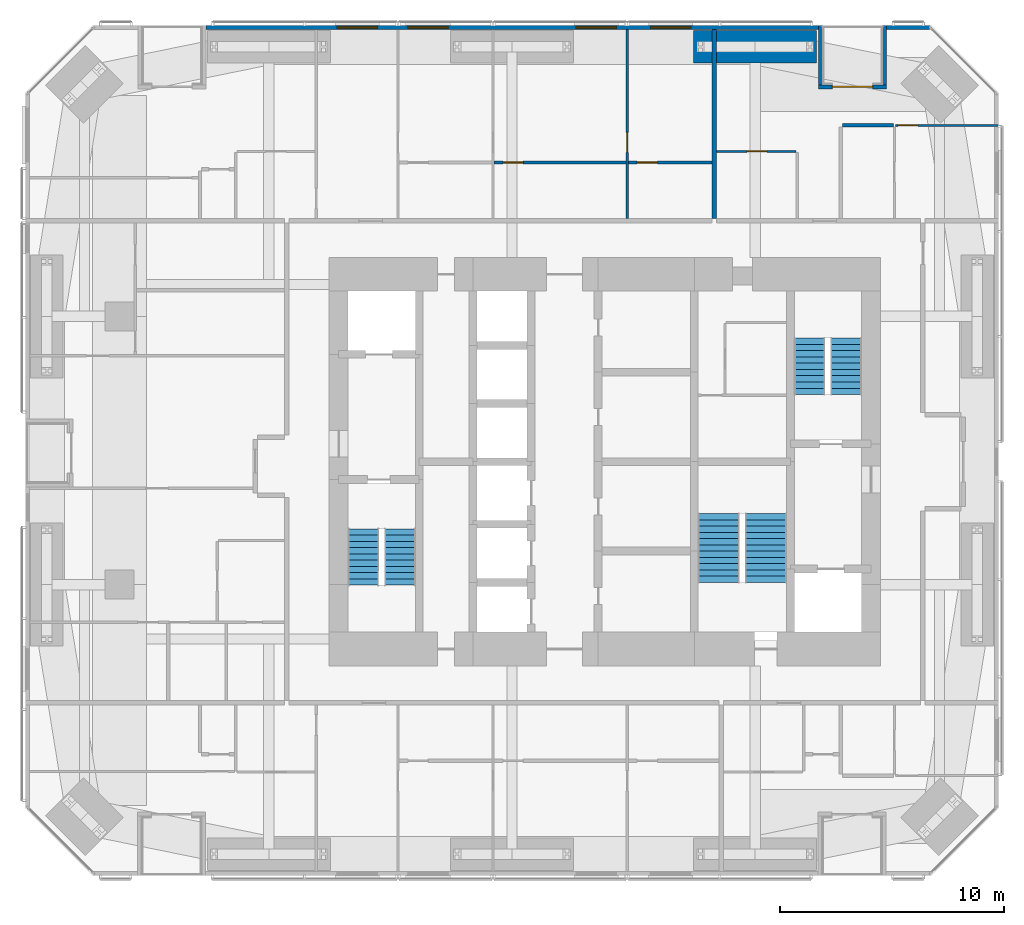
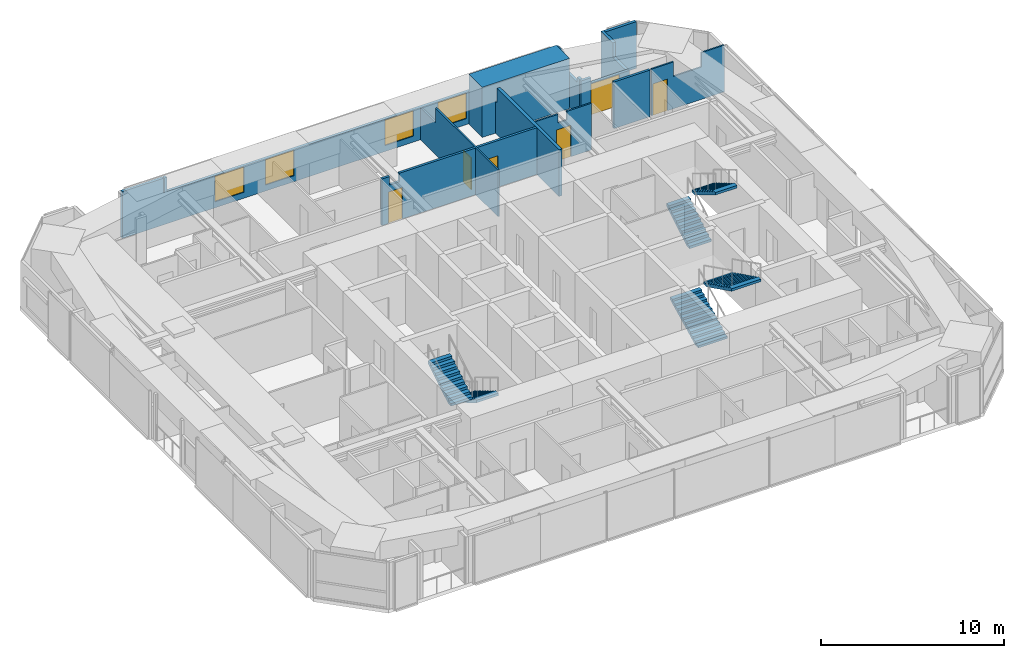
# One storey, part 22 of 23: 14 walls, 6 doors, 6 stair flights, 4 windows, 10 openings, 3 elements without a shape of their own.
"""IFC4 building model written with IfcOpenShell, lengths in metres."""

from ifc_helpers import new_model, si_unit, direction, frame, frame_2d, origin, place, context, subcontext, project, spatial, polyline, rectangle, outline, extrude, material, layer, layer_set, constituent, constituent_set, type_object, element, fill, aggregate, save


model = new_model("IFC4")

# Units and contexts
model_context = context("Model", 3, precision=1e-05, world=origin(), true_north=direction((0.0, 1.0)))
body_context = subcontext(model_context, "Body", "Model", "MODEL_VIEW")
ifc_project = project(units=[si_unit("LENGTHUNIT", "METRE"), si_unit("AREAUNIT", "SQUARE_METRE"), si_unit("VOLUMEUNIT", "CUBIC_METRE"), si_unit("PLANEANGLEUNIT", "RADIAN"), si_unit("MASSUNIT", "GRAM", prefix="KILO")], contexts=[model_context])

# Site, building, storey
site_placement = place(None, origin())
site = spatial("IfcSite", under=ifc_project, at=site_placement, CompositionType="ELEMENT")
building_placement = place(site_placement, origin())
building = spatial("IfcBuilding", under=site, at=building_placement, Name="Jalousie Tower", CompositionType="ELEMENT")
storey_placement = place(building_placement, frame((0.0, 0.0, 114.89990234375)))
storey = spatial("IfcBuildingStorey", under=building, at=storey_placement, Name="L31", CompositionType="ELEMENT", Elevation=114.89990234375)

# Wall, opening, door
ifc_material_1 = material(Name="Concrete block ASTM C90", Category="concrete")
ifc_constituent_1 = constituent(ifc_material_1, Name="Body")
ifc_material_2 = material(Name="Render")
ifc_constituent_2 = constituent(ifc_material_2, Name="Finish")
ifc_constituent_set_1 = constituent_set(constituents=[ifc_constituent_1, ifc_constituent_2])
wall_type_1 = type_object("IfcWallType", Name="BATHROOM WALL 150", PredefinedType="PLUMBINGWALL", material=ifc_constituent_set_1)
wall_1_placement = place(storey_placement, frame((26.949951171875, 31.875, 0.0), z_axis=(0.0, 0.0, 1.0), x_axis=(1.0, 0.0, 0.0)))
wall_1 = element("IfcWall", 1, at=wall_1_placement, inside=storey, type_object=wall_type_1, Name="Bathroom Wall 150 L31", PredefinedType="PLUMBINGWALL", context=body_context, shape_type="SweptSolid", body=[
    extrude(outline(polyline([(0.0, 0.0), (5.900146484375, 0.0), (5.89990234375, 3.110107421875), (1.1123046875, 3.110107421875), (1.1123046875, 2.541015625), (0.487548828125, 2.541015625), (0.487548828125, 3.110107421875), (0.0, 3.110107421875), (0.0, 0.0)])), frame((0.0, 0.074951171875, 0.0), z_axis=(0.0, -1.0, 0.0), x_axis=(1.0, 0.0, 0.0)), (0.0, 0.0, 1.0), 0.14990234375),
])
opening_1_placement = place(wall_1_placement, frame((0.39990234375, 0.0, 0.0)))
opening_1 = element("IfcOpeningElement", 2, at=opening_1_placement, cuts=wall_1, Name="Opening D3", PredefinedType="OPENING", context=body_context, shape_type="SweptSolid", body=[
    extrude(rectangle(XDim=0.89990234375, YDim=2.10009765625, at=frame_2d((0.449951171875, 1.050048828125))), frame((0.0, 0.0849609375, 0.0), z_axis=(0.0, -1.0, 0.0), x_axis=(1.0, 0.0, 0.0)), (0.0, 0.0, 1.0), 0.169921875),
])
ifc_material_3 = material(Name="Timber door", Category="wood")
door_type_1 = type_object("IfcDoorType", Name="BATHROOM DOOR 900", OperationType="SINGLE_SWING_LEFT", PredefinedType="DOOR", material=ifc_material_3)
door_1_placement = place(opening_1_placement, frame((0.89990234375, 0.0, 0.0), z_axis=(0.0, 0.0, 1.0), x_axis=(-1.0, 0.0, 0.0)))
door_1 = element("IfcDoor", 3, at=door_1_placement, inside=storey, type_object=door_type_1, Name="Apartment 3103 bedroom 2 bathroom door", OperationType="SINGLE_SWING_RIGHT", OverallHeight=2.10009765625, OverallWidth=0.89990234375, PredefinedType="DOOR", context=body_context, shape_type="SweptSolid", body=[
    extrude(rectangle(XDim=0.89990234375, YDim=2.10009765625, at=frame_2d((0.449951171875, 1.050048828125))), frame((0.0, 0.02490234375, 0.0), z_axis=(0.0, -1.0, 0.0), x_axis=(1.0, 0.0, 0.0)), (0.0, 0.0, 1.0), 0.050048828125),
])
fill(opening_1, door_1)

wall_2_placement = place(storey_placement, frame((32.949951171875, 31.875, 0.0), z_axis=(0.0, 0.0, 1.0), x_axis=(1.0, 0.0, 0.0)))
wall_2 = element("IfcWall", 4, at=wall_2_placement, inside=storey, type_object=wall_type_1, Name="Bathroom Wall 150 L31", PredefinedType="PLUMBINGWALL", context=body_context, shape_type="SweptSolid", body=[
    extrude(rectangle(XDim=3.75, YDim=0.14990234375, at=frame_2d((1.875, 0.0))), origin(), (0.0, 0.0, 1.0), 3.110107421875),
])
opening_2_placement = place(wall_2_placement, frame((0.39990234375, 0.0, 0.0)))
opening_2 = element("IfcOpeningElement", 5, at=opening_2_placement, cuts=wall_2, Name="Opening D3", PredefinedType="OPENING", context=body_context, shape_type="SweptSolid", body=[
    extrude(rectangle(XDim=0.89990234375, YDim=2.10009765625, at=frame_2d((0.449951171875, 1.050048828125))), frame((0.0, 0.0849609375, 0.0), z_axis=(0.0, -1.0, 0.0), x_axis=(1.0, 0.0, 0.0)), (0.0, 0.0, 1.0), 0.169921875),
])
door_2_placement = place(opening_2_placement, frame((0.89990234375, 0.0, 0.0), z_axis=(0.0, 0.0, 1.0), x_axis=(-1.0, 0.0, 0.0)))
door_2 = element("IfcDoor", 6, at=door_2_placement, inside=storey, type_object=door_type_1, Name="Apartment 3103 bedroom 3 bathroom door", OperationType="SINGLE_SWING_RIGHT", OverallHeight=2.10009765625, OverallWidth=0.89990234375, PredefinedType="DOOR", context=body_context, shape_type="SweptSolid", body=[
    extrude(rectangle(XDim=0.89990234375, YDim=2.10009765625, at=frame_2d((0.449951171875, 1.050048828125))), frame((0.0, 0.02490234375, 0.0), z_axis=(0.0, -1.0, 0.0), x_axis=(1.0, 0.0, 0.0)), (0.0, 0.0, 1.0), 0.050048828125),
])
fill(opening_2, door_2)

# Walls
wall_3_placement = place(storey_placement, frame((42.52490234375, 33.5361328125, 0.0), z_axis=(0.0, 0.0, 1.0), x_axis=(1.0, 0.0, 0.0)))
element("IfcWall", 7, at=wall_3_placement, inside=storey, type_object=wall_type_1, Name="Bathroom Wall 150 L31", PredefinedType="PLUMBINGWALL", context=body_context, shape_type="SweptSolid", body=[
    extrude(rectangle(XDim=2.275146484375, YDim=0.14990234375, at=frame_2d((1.1376953125, 0.0))), origin(), (0.0, 0.0, 1.0), 3.110107421875),
])
ifc_material_4 = material(Name="Concrete f'c 40 MPa", Category="concrete")
ifc_constituent_3 = constituent(ifc_material_4, Name="Body")
ifc_material_5 = material(Name="Render, pastel sea green")
ifc_constituent_4 = constituent(ifc_material_5, Name="Finish")
ifc_constituent_set_2 = constituent_set(constituents=[ifc_constituent_3, ifc_constituent_4])
wall_type_2 = type_object("IfcWallType", Name="EXTERNAL WALL 175 SEA GREEN RENDER", PredefinedType="SOLIDWALL", material=ifc_constituent_set_2)
wall_4_placement = place(storey_placement, frame((46.44873046875, 37.91259765625, 0.0), z_axis=(0.0, 0.0, 1.0), x_axis=(-1.0, 0.0, 0.0)))
element("IfcWall", 8, at=wall_4_placement, inside=storey, type_object=wall_type_2, Name="External Wall 175 Sea Green Render L31", PredefinedType="SOLIDWALL", context=body_context, shape_type="SweptSolid", body=[
    extrude(rectangle(XDim=1.949951171875, YDim=0.175048828125, at=frame_2d((0.97509765625, 0.0))), origin(), (0.0, 0.0, 1.0), 3.110107421875),
])

# Wall, openings, windows
wall_5_placement = place(storey_placement, frame((41.44873046875, 37.91259765625, 0.0), z_axis=(0.0, 0.0, 1.0), x_axis=(-1.0, 0.0, 0.0)))
wall_5 = element("IfcWall", 9, at=wall_5_placement, inside=storey, type_object=wall_type_2, Name="External Wall 175 Sea Green Render L31", PredefinedType="SOLIDWALL", context=body_context, shape_type="SweptSolid", body=[
    extrude(outline(polyline([(0.0, 0.0), (27.373779296875, 0.0), (27.373779296875, 3.110107421875), (24.777099609375, 3.110107421875), (24.777099609375, 2.150146484375), (24.731689453125, 2.150146484375), (24.731689453125, 3.110107421875), (24.57373046875, 3.110107421875), (24.57373046875, 2.150146484375), (2.82373046875, 2.150146484375), (2.82373046875, 3.110107421875), (2.66552734375, 3.110107421875), (2.66552734375, 2.150146484375), (2.620361328125, 2.150146484375), (2.620361328125, 3.110107421875), (0.0, 3.110107421875), (0.0, 0.0)])), frame((0.0, 0.08740234375, 0.0), z_axis=(0.0, -1.0, 0.0), x_axis=(1.0, 0.0, 0.0)), (0.0, 0.0, 1.0), 0.175048828125),
])
opening_3_placement = place(wall_5_placement, frame((5.69873046875, 0.0, 0.39990234375)))
opening_3 = element("IfcOpeningElement", 10, at=opening_3_placement, cuts=wall_5, Name="Opening W-BED170", PredefinedType="OPENING", context=body_context, shape_type="SweptSolid", body=[
    extrude(rectangle(XDim=1.800048828125, YDim=1.699951171875, at=frame_2d((0.89990234375, 0.85009765625))), frame((0.0, 0.097412109375, 0.0), z_axis=(0.0, -1.0, 0.0), x_axis=(1.0, 0.0, 0.0)), (0.0, 0.0, 1.0), 0.195068359375),
])
opening_4_placement = place(wall_5_placement, frame((9.03369140625, 0.0, 0.39990234375)))
opening_4 = element("IfcOpeningElement", 11, at=opening_4_placement, cuts=wall_5, Name="Opening W-BED170", PredefinedType="OPENING", context=body_context, shape_type="SweptSolid", body=[
    extrude(rectangle(XDim=1.800048828125, YDim=1.699951171875, at=frame_2d((0.89990234375, 0.85009765625))), frame((0.0, 0.097412109375, 0.0), z_axis=(0.0, -1.0, 0.0), x_axis=(1.0, 0.0, 0.0)), (0.0, 0.0, 1.0), 0.195068359375),
])
opening_5_placement = place(wall_5_placement, frame((16.5576171875, 0.0, 0.39990234375)))
opening_5 = element("IfcOpeningElement", 12, at=opening_5_placement, cuts=wall_5, Name="Opening W-BED170", PredefinedType="OPENING", context=body_context, shape_type="SweptSolid", body=[
    extrude(rectangle(XDim=1.800048828125, YDim=1.699951171875, at=frame_2d((0.89990234375, 0.85009765625))), frame((0.0, 0.097412109375, 0.0), z_axis=(0.0, -1.0, 0.0), x_axis=(1.0, 0.0, 0.0)), (0.0, 0.0, 1.0), 0.195068359375),
])
opening_6_placement = place(wall_5_placement, frame((19.7236328125, 0.0, 0.39990234375)))
opening_6 = element("IfcOpeningElement", 13, at=opening_6_placement, cuts=wall_5, Name="Opening W-BED170", PredefinedType="OPENING", context=body_context, shape_type="SweptSolid", body=[
    extrude(rectangle(XDim=1.800048828125, YDim=1.699951171875, at=frame_2d((0.89990234375, 0.85009765625))), frame((0.0, 0.097412109375, 0.0), z_axis=(0.0, -1.0, 0.0), x_axis=(1.0, 0.0, 0.0)), (0.0, 0.0, 1.0), 0.195068359375),
])
ifc_material_6 = material(Name="Aluminium frame, impact-rated glazing", Category="aluminium")
window_type = type_object("IfcWindowType", Name="WINDOW BED 1800x1700", PartitioningType="SINGLE_PANEL", PredefinedType="WINDOW", material=ifc_material_6)
window_1_placement = place(opening_3_placement, origin())
window_1 = element("IfcWindow", 14, at=window_1_placement, inside=storey, type_object=window_type, Name="Apartment 3103 bedroom 3 window", OverallHeight=1.699951171875, OverallWidth=1.800048828125, PartitioningType="SINGLE_PANEL", PredefinedType="WINDOW", context=body_context, shape_type="SweptSolid", body=[
    extrude(rectangle(XDim=1.800048828125, YDim=1.699951171875, at=frame_2d((0.89990234375, 0.85009765625))), frame((0.0, 0.030029296875, 0.0), z_axis=(0.0, -1.0, 0.0), x_axis=(1.0, 0.0, 0.0)), (0.0, 0.0, 1.0), 0.06005859375),
])
fill(opening_3, window_1)
window_2_placement = place(opening_4_placement, origin())
window_2 = element("IfcWindow", 15, at=window_2_placement, inside=storey, type_object=window_type, Name="Apartment 3103 bedroom 2 window", OverallHeight=1.699951171875, OverallWidth=1.800048828125, PartitioningType="SINGLE_PANEL", PredefinedType="WINDOW", context=body_context, shape_type="SweptSolid", body=[
    extrude(rectangle(XDim=1.800048828125, YDim=1.699951171875, at=frame_2d((0.89990234375, 0.85009765625))), frame((0.0, 0.030029296875, 0.0), z_axis=(0.0, -1.0, 0.0), x_axis=(1.0, 0.0, 0.0)), (0.0, 0.0, 1.0), 0.06005859375),
])
fill(opening_4, window_2)
window_3_placement = place(opening_5_placement, origin())
window_3 = element("IfcWindow", 16, at=window_3_placement, inside=storey, type_object=window_type, Name="Apartment 3103 bedroom 1 window", OverallHeight=1.699951171875, OverallWidth=1.800048828125, PartitioningType="SINGLE_PANEL", PredefinedType="WINDOW", context=body_context, shape_type="SweptSolid", body=[
    extrude(rectangle(XDim=1.800048828125, YDim=1.699951171875, at=frame_2d((0.89990234375, 0.85009765625))), frame((0.0, 0.030029296875, 0.0), z_axis=(0.0, -1.0, 0.0), x_axis=(1.0, 0.0, 0.0)), (0.0, 0.0, 1.0), 0.06005859375),
])
fill(opening_5, window_3)
window_4_placement = place(opening_6_placement, origin())
window_4 = element("IfcWindow", 17, at=window_4_placement, inside=storey, type_object=window_type, Name="Apartment 3103 study window", OverallHeight=1.699951171875, OverallWidth=1.800048828125, PartitioningType="SINGLE_PANEL", PredefinedType="WINDOW", context=body_context, shape_type="SweptSolid", body=[
    extrude(rectangle(XDim=1.800048828125, YDim=1.699951171875, at=frame_2d((0.89990234375, 0.85009765625))), frame((0.0, 0.030029296875, 0.0), z_axis=(0.0, -1.0, 0.0), x_axis=(1.0, 0.0, 0.0)), (0.0, 0.0, 1.0), 0.06005859375),
])
fill(opening_6, window_4)

# Wall, opening, door
wall_6_placement = place(storey_placement, frame((44.498779296875, 35.262451171875, 0.0), z_axis=(0.0, 0.0, 1.0), x_axis=(-1.0, 0.0, 0.0)))
wall_6 = element("IfcWall", 18, at=wall_6_placement, inside=storey, type_object=wall_type_2, Name="External Wall 175 Sea Green Render L31-A", PredefinedType="SOLIDWALL", context=body_context, shape_type="SweptSolid", body=[
    extrude(rectangle(XDim=2.425048828125, YDim=0.175048828125, at=frame_2d((1.21240234375, 0.0))), origin(), (0.0, 0.0, 1.0), 2.150146484375),
])
opening_7_placement = place(wall_6_placement, frame((0.625, 0.0, 0.0)))
opening_7 = element("IfcOpeningElement", 19, at=opening_7_placement, cuts=wall_6, Name="Opening D-BAL21", PredefinedType="OPENING", context=body_context, shape_type="SweptSolid", body=[
    extrude(rectangle(XDim=1.800048828125, YDim=2.10009765625, at=frame_2d((0.89990234375, 1.050048828125))), frame((0.0, 0.097412109375, 0.0), z_axis=(0.0, -1.0, 0.0), x_axis=(1.0, 0.0, 0.0)), (0.0, 0.0, 1.0), 0.195068359375),
])
ifc_material_7 = material(Name="Aluminium frame, impact-rated glazing", Category="aluminium")
door_type_2 = type_object("IfcDoorType", Name="BALCONY DOOR 1800x2100", OperationType="SLIDING_TO_LEFT", PredefinedType="DOOR", material=ifc_material_7)
door_3_placement = place(opening_7_placement, origin())
door_3 = element("IfcDoor", 20, at=door_3_placement, inside=storey, type_object=door_type_2, Name="Apartment 3104 living and dining room loggia door", OperationType="SLIDING_TO_LEFT", OverallHeight=2.10009765625, OverallWidth=1.800048828125, PredefinedType="DOOR", context=body_context, shape_type="SweptSolid", body=[
    extrude(rectangle(XDim=1.800048828125, YDim=2.10009765625, at=frame_2d((0.89990234375, 1.050048828125))), frame((0.0, 0.02490234375, 0.0), z_axis=(0.0, -1.0, 0.0), x_axis=(1.0, 0.0, 0.0)), (0.0, 0.0, 1.0), 0.050048828125),
])
fill(opening_7, door_3)

# Walls
wall_7_placement = place(storey_placement, frame((42.07373046875, 35.262451171875, 0.0), z_axis=(0.0, 0.0, 1.0), x_axis=(-1.0, 0.0, 0.0)))
element("IfcWall", 21, at=wall_7_placement, inside=storey, type_object=wall_type_2, Name="External Wall 175 Sea Green Render L31-B", PredefinedType="SOLIDWALL", context=body_context, shape_type="SweptSolid", body=[
    extrude(rectangle(XDim=0.625, YDim=0.175048828125, at=frame_2d((0.3125, 0.0))), origin(), (0.0, 0.0, 1.0), 2.510009765625),
])
wall_8_placement = place(storey_placement, frame((44.4111328125, 38.0, 0.0), z_axis=(0.0, 0.0, 1.0), x_axis=(0.0, -1.0, 0.0)))
element("IfcWall", 22, at=wall_8_placement, inside=storey, type_object=wall_type_2, Name="External Wall 175 Sea Green Render L31", PredefinedType="SOLIDWALL", context=body_context, shape_type="SweptSolid", body=[
    extrude(outline(polyline([(0.0, 0.0), (2.64990234375, 0.0), (2.64990234375, 2.150146484375), (1.2958984375, 2.150146484375), (1.2958984375, 3.110107421875), (0.0, 3.110107421875), (0.0, 0.0)])), frame((0.0, 0.08740234375, 0.0), z_axis=(0.0, -1.0, 0.0), x_axis=(1.0, 0.0, 0.0)), (0.0, 0.0, 1.0), 0.175048828125),
])
wall_9_placement = place(storey_placement, frame((41.5361328125, 38.0, 0.0), z_axis=(0.0, 0.0, 1.0), x_axis=(0.0, -1.0, 0.0)))
element("IfcWall", 23, at=wall_9_placement, inside=storey, type_object=wall_type_2, Name="External Wall 175 Sea Green Render L31", PredefinedType="SOLIDWALL", context=body_context, shape_type="SweptSolid", body=[
    extrude(outline(polyline([(0.0, 0.0), (2.64990234375, 0.0), (2.64990234375, 2.510009765625), (2.378173828125, 2.510009765625), (2.378173828125, 2.150146484375), (0.70947265625, 2.150146484375), (0.70947265625, 3.110107421875), (0.0, 3.110107421875), (0.0, 0.0)])), frame((0.0, 0.08740234375, 0.0), z_axis=(0.0, -1.0, 0.0), x_axis=(1.0, 0.0, 0.0)), (0.0, 0.0, 1.0), 0.175048828125),
])

# Wall, opening, door
ifc_material_8 = material(Name="Gypsum board", Category="gypsum")
ifc_constituent_5 = constituent(ifc_material_8, Name="Body")
ifc_material_9 = material(Name="Light-gauge steel studs ASTM A653 SS Grade 33", Category="steel")
ifc_constituent_6 = constituent(ifc_material_9, Name="Framing")
ifc_constituent_set_3 = constituent_set(constituents=[ifc_constituent_5, ifc_constituent_6])
wall_type_3 = type_object("IfcWallType", Name="PARTITION 100", PredefinedType="PARTITIONING", material=ifc_constituent_set_3)
wall_10_placement = place(storey_placement, frame((32.89990234375, 37.824951171875, 0.0), z_axis=(0.0, 0.0, 1.0), x_axis=(0.0, -1.0, 0.0)))
wall_10 = element("IfcWall", 24, at=wall_10_placement, inside=storey, type_object=wall_type_3, Name="Partition 100 L31", PredefinedType="PARTITIONING", context=body_context, shape_type="SweptSolid", body=[
    extrude(outline(polyline([(0.0, 0.0), (8.449951171875, 0.0), (8.449951171875, 3.110107421875), (1.635009765625, 3.110107421875), (1.635009765625, 2.150146484375), (0.0, 2.150146484375), (0.0, 3.110107421875), (0.0, 0.0)])), frame((0.0, 0.050048828125, 0.0), z_axis=(0.0, -1.0, 0.0), x_axis=(1.0, 0.0, 0.0)), (0.0, 0.0, 1.0), 0.10009765625),
])
opening_8_placement = place(wall_10_placement, frame((4.60009765625, 0.0, 0.0)))
opening_8 = element("IfcOpeningElement", 25, at=opening_8_placement, cuts=wall_10, Name="Opening D2", PredefinedType="OPENING", context=body_context, shape_type="SweptSolid", body=[
    extrude(rectangle(XDim=0.89990234375, YDim=2.10009765625, at=frame_2d((0.449951171875, 1.050048828125))), frame((0.0, 0.06005859375, 0.0), z_axis=(0.0, -1.0, 0.0), x_axis=(1.0, 0.0, 0.0)), (0.0, 0.0, 1.0), 0.1201171875),
])
ifc_material_10 = material(Name="Timber door", Category="wood")
door_type_3 = type_object("IfcDoorType", Name="BEDROOM DOOR 900", OperationType="SINGLE_SWING_LEFT", PredefinedType="DOOR", material=ifc_material_10)
door_4_placement = place(opening_8_placement, frame((0.89990234375, 0.0, 0.0), z_axis=(0.0, 0.0, 1.0), x_axis=(-1.0, 0.0, 0.0)))
door_4 = element("IfcDoor", 26, at=door_4_placement, inside=storey, type_object=door_type_3, Name="Apartment 3103 bedroom 3 door", OperationType="SINGLE_SWING_LEFT", OverallHeight=2.10009765625, OverallWidth=0.89990234375, PredefinedType="DOOR", context=body_context, shape_type="SweptSolid", body=[
    extrude(rectangle(XDim=0.89990234375, YDim=2.10009765625, at=frame_2d((0.449951171875, 1.050048828125))), frame((0.0, 0.02490234375, 0.0), z_axis=(0.0, -1.0, 0.0), x_axis=(1.0, 0.0, 0.0)), (0.0, 0.0, 1.0), 0.050048828125),
])
fill(opening_8, door_4)

wall_11_placement = place(storey_placement, frame((44.89990234375, 33.5361328125, 0.0), z_axis=(0.0, 0.0, 1.0), x_axis=(1.0, 0.0, 0.0)))
wall_11 = element("IfcWall", 27, at=wall_11_placement, inside=storey, type_object=wall_type_3, Name="Partition 100 L31", PredefinedType="PARTITIONING", context=body_context, shape_type="SweptSolid", body=[
    extrude(outline(polyline([(0.0, 0.0), (4.60009765625, 0.0), (4.60009765625, 3.110107421875), (3.136962890625, 3.110107421875), (3.136962890625, 2.150146484375), (1.39453125, 2.150146484375), (1.39453125, 3.110107421875), (0.0, 3.110107421875), (0.0, 0.0)])), frame((0.0, 0.050048828125, 0.0), z_axis=(0.0, -1.0, 0.0), x_axis=(1.0, 0.0, 0.0)), (0.0, 0.0, 1.0), 0.10009765625),
])
opening_9_placement = place(wall_11_placement, frame((0.10009765625, 0.0, 0.0)))
opening_9 = element("IfcOpeningElement", 28, at=opening_9_placement, cuts=wall_11, Name="Opening D2", PredefinedType="OPENING", context=body_context, shape_type="SweptSolid", body=[
    extrude(rectangle(XDim=0.89990234375, YDim=2.10009765625, at=frame_2d((0.449951171875, 1.050048828125))), frame((0.0, 0.06005859375, 0.0), z_axis=(0.0, -1.0, 0.0), x_axis=(1.0, 0.0, 0.0)), (0.0, 0.0, 1.0), 0.1201171875),
])
door_5_placement = place(opening_9_placement, frame((0.89990234375, 0.0, 0.0), z_axis=(0.0, 0.0, 1.0), x_axis=(-1.0, 0.0, 0.0)))
door_5 = element("IfcDoor", 29, at=door_5_placement, inside=storey, type_object=door_type_3, Name="Apartment 3104 bedroom 1 door", OperationType="SINGLE_SWING_RIGHT", OverallHeight=2.10009765625, OverallWidth=0.89990234375, PredefinedType="DOOR", context=body_context, shape_type="SweptSolid", body=[
    extrude(rectangle(XDim=0.89990234375, YDim=2.10009765625, at=frame_2d((0.449951171875, 1.050048828125))), frame((0.0, 0.02490234375, 0.0), z_axis=(0.0, -1.0, 0.0), x_axis=(1.0, 0.0, 0.0)), (0.0, 0.0, 1.0), 0.050048828125),
])
fill(opening_9, door_5)

wall_12_placement = place(storey_placement, frame((36.89990234375, 32.375, 0.0), z_axis=(0.0, 0.0, 1.0), x_axis=(1.0, 0.0, 0.0)))
wall_12 = element("IfcWall", 30, at=wall_12_placement, inside=storey, type_object=wall_type_3, Name="Partition 100 L31", PredefinedType="PARTITIONING", context=body_context, shape_type="SweptSolid", body=[
    extrude(outline(polyline([(0.0, 0.0), (3.550048828125, 0.0), (3.550048828125, 3.110107421875), (2.012451171875, 3.110107421875), (2.012451171875, 2.541015625), (1.4375, 2.541015625), (1.4375, 3.110107421875), (0.0, 3.110107421875), (0.0, 0.0)])), frame((0.0, 0.050048828125, 0.0), z_axis=(0.0, -1.0, 0.0), x_axis=(1.0, 0.0, 0.0)), (0.0, 0.0, 1.0), 0.10009765625),
])
opening_10_placement = place(wall_12_placement, frame((1.35009765625, 0.0, 0.0)))
opening_10 = element("IfcOpeningElement", 31, at=opening_10_placement, cuts=wall_12, Name="Opening D7", PredefinedType="OPENING", context=body_context, shape_type="SweptSolid", body=[
    extrude(rectangle(XDim=0.89990234375, YDim=2.10009765625, at=frame_2d((0.449951171875, 1.050048828125))), frame((0.0, 0.06005859375, 0.0), z_axis=(0.0, -1.0, 0.0), x_axis=(1.0, 0.0, 0.0)), (0.0, 0.0, 1.0), 0.1201171875),
])
ifc_material_11 = material(Name="Timber door", Category="wood")
door_type_4 = type_object("IfcDoorType", Name="INTERNAL DOOR 900", OperationType="SINGLE_SWING_LEFT", PredefinedType="DOOR", material=ifc_material_11)
door_6_placement = place(opening_10_placement, origin())
door_6 = element("IfcDoor", 32, at=door_6_placement, inside=storey, type_object=door_type_4, Name="Apartment 3104 kitchen door", OperationType="SINGLE_SWING_LEFT", OverallHeight=2.10009765625, OverallWidth=0.89990234375, PredefinedType="DOOR", context=body_context, shape_type="SweptSolid", body=[
    extrude(rectangle(XDim=0.89990234375, YDim=2.10009765625, at=frame_2d((0.449951171875, 1.050048828125))), frame((0.0, 0.02490234375, 0.0), z_axis=(0.0, -1.0, 0.0), x_axis=(1.0, 0.0, 0.0)), (0.0, 0.0, 1.0), 0.050048828125),
])
fill(opening_10, door_6)

# Walls
ifc_material_12 = material(Name="Concrete block ASTM C90", Category="concrete")
ifc_constituent_7 = constituent(ifc_material_12, Name="Body")
ifc_material_13 = material(Name="Render")
ifc_constituent_8 = constituent(ifc_material_13, Name="Finish")
ifc_constituent_set_4 = constituent_set(constituents=[ifc_constituent_7, ifc_constituent_8])
wall_type_4 = type_object("IfcWallType", Name="PARTY WALL 200", PredefinedType="PARTITIONING", material=ifc_constituent_set_4)
wall_13_placement = place(storey_placement, frame((36.800048828125, 37.824951171875, 0.0), z_axis=(0.0, 0.0, 1.0), x_axis=(0.0, -1.0, 0.0)))
element("IfcWall", 33, at=wall_13_placement, inside=storey, type_object=wall_type_4, Name="Party Wall 200 L31", PredefinedType="PARTITIONING", context=body_context, shape_type="SweptSolid", body=[
    extrude(outline(polyline([(0.52880859375, 2.150146484375), (0.0, 2.150146484375), (0.0, 0.0), (0.52880859375, 0.0), (0.52880859375, 0.256591796875), (1.021240234375, 0.256591796875), (1.021240234375, 0.0), (8.449951171875, 0.0), (8.449951171875, 3.110107421875), (1.68505859375, 3.110107421875), (1.68505859375, 2.150146484375), (1.021240234375, 2.150146484375), (1.021240234375, 1.893798828125), (0.52880859375, 1.893798828125), (0.52880859375, 2.150146484375)])), frame((0.0, 0.10009765625, 0.0), z_axis=(0.0, -1.0, 0.0), x_axis=(1.0, 0.0, 0.0)), (0.0, 0.0, 1.0), 0.199951171875),
])
ifc_material_14 = material(Name="Concrete f'c 120 MPa", Category="concrete")
ifc_layer = layer(ifc_material_14, 1.449951171875)
ifc_layer_set = layer_set([ifc_layer], Name="Concrete f'c 120 MPa")
wall_type_5 = type_object("IfcWallType", Name="RC WALL PIER 1450", PredefinedType="SHEAR", material=ifc_layer_set)
wall_14_placement = place(storey_placement, frame((35.875, 37.050048828125, 0.0), z_axis=(0.0, 0.0, 1.0), x_axis=(1.0, 0.0, 0.0)))
element("IfcWall", 34, at=wall_14_placement, inside=storey, type_object=wall_type_5, Name="Wall pier 09 L31", PredefinedType="SHEAR", context=body_context, shape_type="SweptSolid", body=[
    extrude(rectangle(XDim=5.5, YDim=1.449951171875, at=frame_2d((2.75, 0.0))), origin(), (0.0, 0.0, 1.0), 3.35009765625),
])

# Stair, stair flights
ifc_material_15 = material(Name="Concrete f'c 40 MPa", Category="concrete")
stair_type = type_object("IfcStairType", Name="EXIT STAIR", PredefinedType="HALF_TURN_STAIR", material=ifc_material_15)
stair_1_placement = place(storey_placement, origin())
stair_1 = element("IfcStair", 35, at=stair_1_placement, inside=storey, type_object=stair_type, Name="Exit stair A L31", PredefinedType="HALF_TURN_STAIR")
ifc_material_16 = material(Name="Concrete f'c 40 MPa", Category="concrete")
stair_flight_type = type_object("IfcStairFlightType", Name="STAIR FLIGHT", PredefinedType="STRAIGHT", material=ifc_material_16)
stair_flight_1_placement = place(storey_placement, frame((22.737548828125, 15.49755859375, 0.0), z_axis=(0.0, 0.0, 1.0), x_axis=(0.0, -1.0, 0.0)))
stair_flight_1 = element("IfcStairFlight", 36, at=stair_flight_1_placement, type_object=stair_flight_type, Name="ST-A flight 1", NumberOfRisers=10, NumberOfTreads=9, PredefinedType="STRAIGHT", RiserHeight=0.1675, TreadLength=0.28, context=body_context, shape_type="SweptSolid", body=[
    extrude(outline(polyline([(0.0, 0.0), (0.0, 0.16748046875), (0.280029296875, 0.16748046875), (0.280029296875, 0.3349609375), (0.56005859375, 0.3349609375), (0.56005859375, 0.50244140625), (0.840087890625, 0.50244140625), (0.840087890625, 0.669921875), (1.1201171875, 0.669921875), (1.1201171875, 0.83740234375), (1.39990234375, 0.83740234375), (1.39990234375, 1.0048828125), (1.679931640625, 1.0048828125), (1.679931640625, 1.172607421875), (1.9599609375, 1.172607421875), (1.9599609375, 1.340087890625), (2.239990234375, 1.340087890625), (2.239990234375, 1.507568359375), (2.52001953125, 1.507568359375), (2.52001953125, 1.675048828125), (2.52001953125, 1.332763671875), (0.2919921875, 0.0), (0.0, 0.0)])), frame((0.0, 0.6875, 0.0), z_axis=(0.0, -1.0, 0.0), x_axis=(1.0, 0.0, 0.0)), (0.0, 0.0, 1.0), 1.375),
])
stair_flight_2_placement = place(storey_placement, frame((21.112548828125, 12.9775390625, 1.675048828125), z_axis=(0.0, 0.0, 1.0), x_axis=(0.0, 1.0, 0.0)))
stair_flight_2 = element("IfcStairFlight", 37, at=stair_flight_2_placement, type_object=stair_flight_type, Name="ST-A flight 2", NumberOfRisers=10, NumberOfTreads=9, PredefinedType="STRAIGHT", RiserHeight=0.1675, TreadLength=0.28, context=body_context, shape_type="SweptSolid", body=[
    extrude(outline(polyline([(0.0, 0.0), (0.0, 0.16748046875), (0.280029296875, 0.16748046875), (0.280029296875, 0.3349609375), (0.56005859375, 0.3349609375), (0.56005859375, 0.50244140625), (0.840087890625, 0.50244140625), (0.840087890625, 0.669921875), (1.1201171875, 0.669921875), (1.1201171875, 0.83740234375), (1.39990234375, 0.83740234375), (1.39990234375, 1.0048828125), (1.679931640625, 1.0048828125), (1.679931640625, 1.172607421875), (1.9599609375, 1.172607421875), (1.9599609375, 1.340087890625), (2.239990234375, 1.340087890625), (2.239990234375, 1.507568359375), (2.52001953125, 1.507568359375), (2.52001953125, 1.675048828125), (2.52001953125, 1.332763671875), (0.2919921875, 0.0), (0.0, 0.0)])), frame((0.0, 0.6875, 0.0), z_axis=(0.0, -1.0, 0.0), x_axis=(1.0, 0.0, 0.0)), (0.0, 0.0, 1.0), 1.375),
])
aggregate(stair_1, [stair_flight_1, stair_flight_2])

stair_2_placement = place(storey_placement, origin())
stair_2 = element("IfcStair", 38, at=stair_2_placement, inside=storey, type_object=stair_type, Name="Exit stair B L31", PredefinedType="HALF_TURN_STAIR")
stair_flight_3_placement = place(storey_placement, frame((41.0625, 21.50244140625, 0.0), z_axis=(0.0, 0.0, 1.0), x_axis=(0.0, 1.0, 0.0)))
stair_flight_3 = element("IfcStairFlight", 39, at=stair_flight_3_placement, type_object=stair_flight_type, Name="ST-B flight 1", NumberOfRisers=10, NumberOfTreads=9, PredefinedType="STRAIGHT", RiserHeight=0.1675, TreadLength=0.28, context=body_context, shape_type="SweptSolid", body=[
    extrude(outline(polyline([(0.0, 0.0), (0.0, 0.16748046875), (0.280029296875, 0.16748046875), (0.280029296875, 0.3349609375), (0.56005859375, 0.3349609375), (0.56005859375, 0.50244140625), (0.840087890625, 0.50244140625), (0.840087890625, 0.669921875), (1.1201171875, 0.669921875), (1.1201171875, 0.83740234375), (1.39990234375, 0.83740234375), (1.39990234375, 1.0048828125), (1.679931640625, 1.0048828125), (1.679931640625, 1.172607421875), (1.9599609375, 1.172607421875), (1.9599609375, 1.340087890625), (2.239990234375, 1.340087890625), (2.239990234375, 1.507568359375), (2.52001953125, 1.507568359375), (2.52001953125, 1.675048828125), (2.52001953125, 1.332763671875), (0.2919921875, 0.0), (0.0, 0.0)])), frame((0.0, 0.6875, 0.0), z_axis=(0.0, -1.0, 0.0), x_axis=(1.0, 0.0, 0.0)), (0.0, 0.0, 1.0), 1.375),
])
stair_flight_4_placement = place(storey_placement, frame((42.6875, 24.0224609375, 1.675048828125), z_axis=(0.0, 0.0, 1.0), x_axis=(0.0, -1.0, 0.0)))
stair_flight_4 = element("IfcStairFlight", 40, at=stair_flight_4_placement, type_object=stair_flight_type, Name="ST-B flight 2", NumberOfRisers=10, NumberOfTreads=9, PredefinedType="STRAIGHT", RiserHeight=0.1675, TreadLength=0.28, context=body_context, shape_type="SweptSolid", body=[
    extrude(outline(polyline([(0.0, 0.0), (0.0, 0.16748046875), (0.280029296875, 0.16748046875), (0.280029296875, 0.3349609375), (0.56005859375, 0.3349609375), (0.56005859375, 0.50244140625), (0.840087890625, 0.50244140625), (0.840087890625, 0.669921875), (1.1201171875, 0.669921875), (1.1201171875, 0.83740234375), (1.39990234375, 0.83740234375), (1.39990234375, 1.0048828125), (1.679931640625, 1.0048828125), (1.679931640625, 1.172607421875), (1.9599609375, 1.172607421875), (1.9599609375, 1.340087890625), (2.239990234375, 1.340087890625), (2.239990234375, 1.507568359375), (2.52001953125, 1.507568359375), (2.52001953125, 1.675048828125), (2.52001953125, 1.332763671875), (0.2919921875, 0.0), (0.0, 0.0)])), frame((0.0, 0.6875, 0.0), z_axis=(0.0, -1.0, 0.0), x_axis=(1.0, 0.0, 0.0)), (0.0, 0.0, 1.0), 1.375),
])
aggregate(stair_2, [stair_flight_3, stair_flight_4])

stair_3_placement = place(storey_placement, origin())
stair_3 = element("IfcStair", 41, at=stair_3_placement, inside=storey, type_object=stair_type, Name="Exit stair C L31", PredefinedType="HALF_TURN_STAIR")
stair_flight_5_placement = place(storey_placement, frame((37.0, 13.097412109375, 0.0), z_axis=(0.0, 0.0, 1.0), x_axis=(0.0, 1.0, 0.0)))
stair_flight_5 = element("IfcStairFlight", 42, at=stair_flight_5_placement, type_object=stair_flight_type, Name="ST-C flight 1", NumberOfRisers=12, NumberOfTreads=11, PredefinedType="STRAIGHT", RiserHeight=0.139583333, TreadLength=0.28, context=body_context, shape_type="SweptSolid", body=[
    extrude(outline(polyline([(0.0, 0.0), (0.0, 0.1396484375), (0.280029296875, 0.1396484375), (0.280029296875, 0.279052734375), (0.56005859375, 0.279052734375), (0.56005859375, 0.418701171875), (0.840087890625, 0.418701171875), (0.840087890625, 0.558349609375), (1.1201171875, 0.558349609375), (1.1201171875, 0.697998046875), (1.39990234375, 0.697998046875), (1.39990234375, 0.83740234375), (1.679931640625, 0.83740234375), (1.679931640625, 0.97705078125), (1.9599609375, 0.97705078125), (1.9599609375, 1.11669921875), (2.239990234375, 1.11669921875), (2.239990234375, 1.25634765625), (2.52001953125, 1.25634765625), (2.52001953125, 1.395751953125), (2.800048828125, 1.395751953125), (2.800048828125, 1.535400390625), (3.080078125, 1.535400390625), (3.080078125, 1.675048828125), (3.080078125, 1.367919921875), (0.3359375, 0.0), (0.0, 0.0)])), frame((0.0, 0.925048828125, 0.0), z_axis=(0.0, -1.0, 0.0), x_axis=(1.0, 0.0, 0.0)), (0.0, 0.0, 1.0), 1.85009765625),
])
stair_flight_6_placement = place(storey_placement, frame((39.10009765625, 16.177490234375, 1.675048828125), z_axis=(0.0, 0.0, 1.0), x_axis=(0.0, -1.0, 0.0)))
stair_flight_6 = element("IfcStairFlight", 43, at=stair_flight_6_placement, type_object=stair_flight_type, Name="ST-C flight 2", NumberOfRisers=12, NumberOfTreads=11, PredefinedType="STRAIGHT", RiserHeight=0.139583333, TreadLength=0.28, context=body_context, shape_type="SweptSolid", body=[
    extrude(outline(polyline([(0.0, 0.0), (0.0, 0.1396484375), (0.280029296875, 0.1396484375), (0.280029296875, 0.279052734375), (0.56005859375, 0.279052734375), (0.56005859375, 0.418701171875), (0.840087890625, 0.418701171875), (0.840087890625, 0.558349609375), (1.1201171875, 0.558349609375), (1.1201171875, 0.697998046875), (1.39990234375, 0.697998046875), (1.39990234375, 0.83740234375), (1.679931640625, 0.83740234375), (1.679931640625, 0.97705078125), (1.9599609375, 0.97705078125), (1.9599609375, 1.11669921875), (2.239990234375, 1.11669921875), (2.239990234375, 1.25634765625), (2.52001953125, 1.25634765625), (2.52001953125, 1.395751953125), (2.800048828125, 1.395751953125), (2.800048828125, 1.535400390625), (3.080078125, 1.535400390625), (3.080078125, 1.675048828125), (3.080078125, 1.367919921875), (0.3359375, 0.0), (0.0, 0.0)])), frame((0.0, 0.925048828125, 0.0), z_axis=(0.0, -1.0, 0.0), x_axis=(1.0, 0.0, 0.0)), (0.0, 0.0, 1.0), 1.85009765625),
])
aggregate(stair_3, [stair_flight_5, stair_flight_6])

save(model, "model.ifc")
